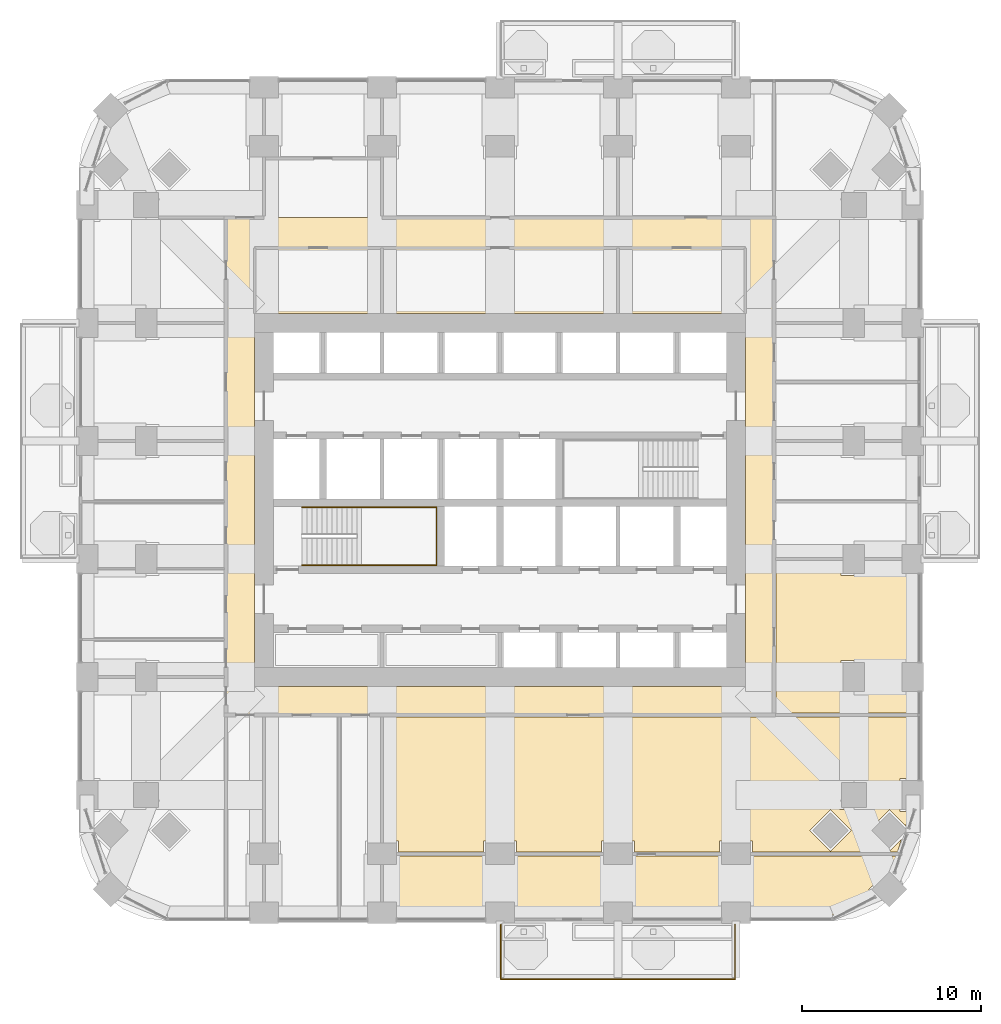
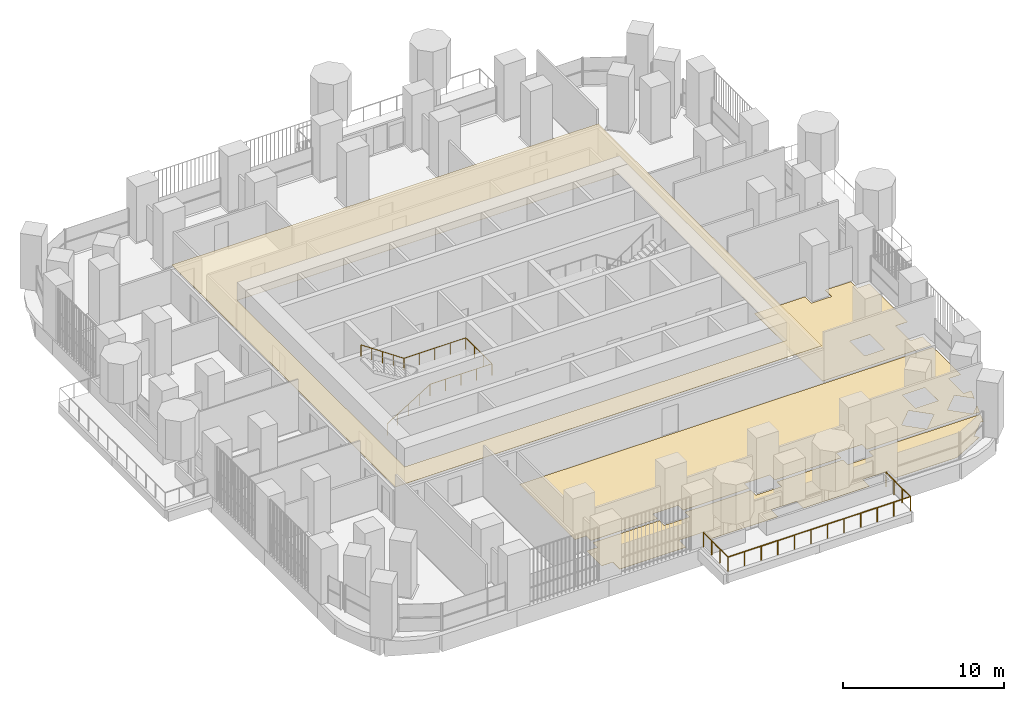
# One storey, part 19 of 22: 4 coverings, 2 railings.
"""IFC4 building model written with IfcOpenShell, lengths in metres."""

import ifcopenshell
import ifcopenshell.guid

model = None  # the IFC model being written
_history = None  # IfcOwnerHistory: only IFC2X3 demands one
_inside = {}  # id of a spatial element -> (the spatial element, [elements in it])
_under = {}  # id of a project, library or spatial element -> (it, [spatial elements below it])
_declared = {}  # id of a project -> (the project, [libraries it declares])
_typed = {}  # id of a type object -> (the type object, [elements of that type])
_made_of = {}  # id of a material, layer set ... -> (it, [elements and type objects made of it])


def new_model(schema):
    """Start an empty IFC model of exactly this schema.

    Asked for "IFC4X3", IfcOpenShell would pick the latest addendum, in which some entities
    have other attributes; the version numbers below select the first issue.
    IFC2X3 requires an IfcOwnerHistory on every rooted entity: one is made here for all.
    """
    global model, _history
    if schema == "IFC4X3":
        model = ifcopenshell.file(schema_version=(4, 3, 0, 0))
    else:
        model = ifcopenshell.file(schema=schema)
    _inside.clear()
    _under.clear()
    _declared.clear()
    _typed.clear()
    _made_of.clear()
    _history = None
    if model.schema == "IFC2X3":
        org = make("IfcOrganization", Name="unknown")
        user = make(
            "IfcPersonAndOrganization",
            ThePerson=make("IfcPerson", FamilyName="unknown"),
            TheOrganization=org,
        )
        app = make(
            "IfcApplication",
            ApplicationDeveloper=org,
            Version="unknown",
            ApplicationFullName="unknown",
            ApplicationIdentifier="unknown",
        )
        _history = make(
            "IfcOwnerHistory",
            OwningUser=user,
            OwningApplication=app,
            ChangeAction="ADDED",
            CreationDate=0,
        )
    return model


def make(cls, **values):
    """One entity of the class cls with the attributes given. An attribute that is None is left unset."""
    return model.create_entity(
        cls, **{name: value for name, value in values.items() if value is not None}
    )


def rooted(cls, **values):
    """An entity with a GlobalId (a new one), such as an element, a storey or a relation."""
    return make(cls, GlobalId=ifcopenshell.guid.new(), OwnerHistory=_history, **values)


def si_unit(unit_type, name, prefix=None):
    """IfcSIUnit, for example si_unit("LENGTHUNIT", "METRE", prefix="MILLI")."""
    return make("IfcSIUnit", UnitType=unit_type, Prefix=prefix, Name=name)


def assignment(units):
    """IfcUnitAssignment: the units of a project."""
    return None if units is None else make("IfcUnitAssignment", Units=units)


def point(xyz):
    """IfcCartesianPoint."""
    return None if xyz is None else make("IfcCartesianPoint", Coordinates=xyz)


def direction(xyz):
    """IfcDirection."""
    return None if xyz is None else make("IfcDirection", DirectionRatios=xyz)


def frame(location, z_axis=None, x_axis=None):
    """IfcAxis2Placement3D, a coordinate frame: its origin and axes. An axis left out is left unset."""
    return make(
        "IfcAxis2Placement3D",
        Location=point(location),
        Axis=direction(z_axis),
        RefDirection=direction(x_axis),
    )


def origin():
    """The frame at (0, 0, 0) with its axes left unset."""
    return frame((0.0, 0.0, 0.0))


def place(relative_to, where):
    """IfcLocalPlacement: puts the frame where relative to a parent placement (None: the world)."""
    return make(
        "IfcLocalPlacement", PlacementRelTo=relative_to, RelativePlacement=where
    )


def context(
    kind, dimensions, precision=None, world=None, true_north=None, identifier=None
):
    """IfcGeometricRepresentationContext, for example the 3D "Model" context."""
    return make(
        "IfcGeometricRepresentationContext",
        ContextIdentifier=identifier,
        ContextType=kind,
        CoordinateSpaceDimension=dimensions,
        Precision=precision,
        WorldCoordinateSystem=world,
        TrueNorth=true_north,
    )


def subcontext(parent, identifier, kind, view, scale=None):
    """IfcGeometricRepresentationSubContext, for example "Body" below "Model"."""
    return make(
        "IfcGeometricRepresentationSubContext",
        ContextIdentifier=identifier,
        ContextType=kind,
        ParentContext=parent,
        TargetScale=scale,
        TargetView=view,
    )


def project(units=None, contexts=None):
    """IfcProject with its units and contexts."""
    return rooted(
        "IfcProject",
        Name="project",
        RepresentationContexts=contexts,
        UnitsInContext=assignment(units),
    )


def spatial(cls, under=None, at=None, **own):
    """A site, building, storey or space (cls), placed at a placement, below another one or the project."""
    s = rooted(cls, ObjectPlacement=at, **own)
    if under is not None:
        _under.setdefault(under.id(), (under, []))[1].append(s)
    return s


def polyline(points):
    """IfcPolyline through the points."""
    return make("IfcPolyline", Points=[point(p) for p in points])


def outline(outer, holes=None, kind="AREA"):
    """IfcArbitraryClosedProfileDef: a profile drawn as a closed curve; with holes, ...WithVoids."""
    if holes is None:
        return make("IfcArbitraryClosedProfileDef", ProfileType=kind, OuterCurve=outer)
    return make(
        "IfcArbitraryProfileDefWithVoids",
        ProfileType=kind,
        OuterCurve=outer,
        InnerCurves=holes,
    )


def extrude(swept, where, along, depth):
    """IfcExtrudedAreaSolid: the profile swept, set in the frame where, extruded along a direction by depth."""
    return make(
        "IfcExtrudedAreaSolid",
        SweptArea=swept,
        Position=where,
        ExtrudedDirection=direction(along),
        Depth=depth,
    )


def shape(context_of_items, identifier, shape_type, items):
    """IfcShapeRepresentation: the items that make up one representation, for example the "Body"."""
    return make(
        "IfcShapeRepresentation",
        ContextOfItems=context_of_items,
        RepresentationIdentifier=identifier,
        RepresentationType=shape_type,
        Items=items,
    )


def material(Name=None, Category=None):
    """IfcMaterial."""
    return make("IfcMaterial", Name=Name, Category=Category)


def layer(
    of_material, thickness, ventilated=None, Name=None, Category=None, Priority=None
):
    """IfcMaterialLayer: one layer of a wall or slab, of a material (None: an air gap)."""
    return make(
        "IfcMaterialLayer",
        Material=of_material,
        LayerThickness=thickness,
        IsVentilated=ventilated,
        Name=Name,
        Category=Category,
        Priority=Priority,
    )


def layer_set(layers, Name=None):
    """IfcMaterialLayerSet."""
    return make("IfcMaterialLayerSet", MaterialLayers=layers, LayerSetName=Name)


def made_of(thing, what):
    """Note that an element or type object is made of a material, layer set ...; save() writes the relation."""
    if what is not None:
        _made_of.setdefault(what.id(), (what, []))[1].append(thing)
    return thing


def type_object(cls, material=None, **own):
    """A type object (cls), such as IfcWallType, which elements share."""
    return made_of(rooted(cls, **own), material)


def element(
    cls,
    number,
    at=None,
    inside=None,
    cuts=None,
    type_object=None,
    material=None,
    context=None,
    identifier="Body",
    shape_type=None,
    held_by="IfcProductDefinitionShape",
    body=None,
    shapes=None,
    **own,
):
    """One element of the class cls, such as IfcWall. Its Tag is "e" and its number.

    at: its placement. inside: the storey or other place that contains it. cuts: it is an
    opening in that element (IfcRelVoidsElement). A single representation is given by context,
    identifier, shape_type and body (its items); several are given by shapes. held_by: the class
    of the entity that holds the representations. save() writes the other relations.
    """
    e = rooted(cls, Tag="e%d" % number, ObjectPlacement=at, **own)
    if body is not None:
        shapes = [shape(context, identifier, shape_type, body)]
    if shapes is not None:
        e.Representation = make(held_by, Representations=shapes)
    if inside is not None:
        _inside.setdefault(inside.id(), (inside, []))[1].append(e)
    if cuts is not None:
        rooted(
            "IfcRelVoidsElement", RelatingBuildingElement=cuts, RelatedOpeningElement=e
        )
    if type_object is not None:
        _typed.setdefault(type_object.id(), (type_object, []))[1].append(e)
    return made_of(e, material)


def aggregate(whole, parts):
    """IfcRelAggregates: a whole, such as a stair, and the parts it consists of."""
    return rooted("IfcRelAggregates", RelatingObject=whole, RelatedObjects=parts)


def save(model, path):
    """Write the relations noted so far, then the file.

    IfcRelAggregates (storeys below a building ...), IfcRelContainedInSpatialStructure (elements
    in a storey), IfcRelDefinesByType, IfcRelAssociatesMaterial and IfcRelDeclares: one each for
    every whole, place, type object, material and project.
    """
    for whole, parts in _under.values():
        aggregate(whole, parts)
    for where, things in _inside.values():
        rooted(
            "IfcRelContainedInSpatialStructure",
            RelatedElements=things,
            RelatingStructure=where,
        )
    for kind, things in _typed.values():
        rooted("IfcRelDefinesByType", RelatedObjects=things, RelatingType=kind)
    for what, things in _made_of.values():
        rooted("IfcRelAssociatesMaterial", RelatedObjects=things, RelatingMaterial=what)
    for by, libraries in _declared.values():
        rooted("IfcRelDeclares", RelatingContext=by, RelatedDefinitions=libraries)
    model.write(path)


model = new_model("IFC4")

# Units and contexts
model_context = context("Model", 3, precision=1e-05, world=origin(), true_north=direction((0.0, 1.0)))
body_context = subcontext(model_context, "Body", "Model", "MODEL_VIEW")
ifc_project = project(units=[si_unit("LENGTHUNIT", "METRE"), si_unit("AREAUNIT", "SQUARE_METRE"), si_unit("VOLUMEUNIT", "CUBIC_METRE"), si_unit("PLANEANGLEUNIT", "RADIAN"), si_unit("MASSUNIT", "GRAM", prefix="KILO")], contexts=[model_context])

# Site, building, storey
site_placement = place(None, origin())
site = spatial("IfcSite", under=ifc_project, at=site_placement, CompositionType="ELEMENT")
building_placement = place(site_placement, origin())
building = spatial("IfcBuilding", under=site, at=building_placement, Name="Cobogo Forest Laboratory Tower", CompositionType="ELEMENT")
storey_placement = place(building_placement, frame((0.0, 0.0, 145.199951171875)))
storey = spatial("IfcBuildingStorey", under=building, at=storey_placement, Name="L33", CompositionType="ELEMENT", Elevation=145.199951171875)

# Railing
ifc_material_1 = material(Name="Laminated glass balustrade", Category="glass")
railing_type_1 = type_object("IfcRailingType", Name="BG1 glass balustrade 1100", PredefinedType="GUARDRAIL", material=ifc_material_1)
railing_1_placement = place(storey_placement, frame((26.449951171875, -0.64990234375, 0.0)))
element("IfcRailing", 1, at=railing_1_placement, inside=storey, type_object=railing_type_1, Name="Balcony balustrade BAL-S1 L33", PredefinedType="GUARDRAIL", context=body_context, shape_type="SweptSolid", body=[
    extrude(outline(polyline([(0.022216796875, 0.00927734375), (0.00927734375, 0.022216796875), (-0.00927734375, 0.022216796875), (-0.022216796875, 0.00927734375), (-0.022216796875, -0.00927734375), (-0.00927734375, -0.022216796875), (0.00927734375, -0.022216796875), (0.022216796875, -0.00927734375), (0.022216796875, 0.00927734375)])), frame((0.0, 0.0, 1.077880859375), z_axis=(0.0, -1.0, 0.0), x_axis=(1.0, 0.0, 0.0)), (0.0, 0.0, 1.0), 3.050048828125),
    extrude(outline(polyline([(0.022216796875, 0.00927734375), (0.00927734375, 0.022216796875), (-0.00927734375, 0.022216796875), (-0.022216796875, 0.00927734375), (-0.022216796875, -0.00927734375), (-0.00927734375, -0.022216796875), (0.00927734375, -0.022216796875), (0.022216796875, -0.00927734375), (0.022216796875, 0.00927734375)])), frame((0.0, -3.050048828125, 1.077880859375), z_axis=(1.0, 0.0, 0.0), x_axis=(0.0, 1.0, 0.0)), (0.0, 0.0, 1.0), 13.10009765625),
    extrude(outline(polyline([(0.022216796875, 0.00927734375), (0.00927734375, 0.022216796875), (-0.00927734375, 0.022216796875), (-0.022216796875, 0.00927734375), (-0.022216796875, -0.00927734375), (-0.00927734375, -0.022216796875), (0.00927734375, -0.022216796875), (0.022216796875, -0.00927734375), (0.022216796875, 0.00927734375)])), frame((13.10009765625, -3.050048828125, 1.077880859375), z_axis=(0.0, 1.0, 0.0), x_axis=(-1.0, 0.0, 0.0)), (0.0, 0.0, 1.0), 3.050048828125),
    extrude(outline(polyline([(0.019287109375, 0.008056640625), (0.008056640625, 0.019287109375), (-0.008056640625, 0.019287109375), (-0.019287109375, 0.008056640625), (-0.019287109375, -0.008056640625), (-0.008056640625, -0.019287109375), (0.008056640625, -0.019287109375), (0.019287109375, -0.008056640625), (0.019287109375, 0.008056640625)])), origin(), (0.0, 0.0, 1.0), 1.077880859375),
    extrude(outline(polyline([(0.019287109375, 0.008056640625), (0.008056640625, 0.019287109375), (-0.008056640625, 0.019287109375), (-0.019287109375, 0.008056640625), (-0.019287109375, -0.008056640625), (-0.008056640625, -0.019287109375), (0.008056640625, -0.019287109375), (0.019287109375, -0.008056640625), (0.019287109375, 0.008056640625)])), frame((0.0, -1.0166015625, 0.0)), (0.0, 0.0, 1.0), 1.077880859375),
    extrude(outline(polyline([(0.019287109375, 0.008056640625), (0.008056640625, 0.019287109375), (-0.008056640625, 0.019287109375), (-0.019287109375, 0.008056640625), (-0.019287109375, -0.008056640625), (-0.008056640625, -0.019287109375), (0.008056640625, -0.019287109375), (0.019287109375, -0.008056640625), (0.019287109375, 0.008056640625)])), frame((0.0, -2.033447265625, 0.0)), (0.0, 0.0, 1.0), 1.077880859375),
    extrude(outline(polyline([(0.019287109375, 0.008056640625), (0.008056640625, 0.019287109375), (-0.008056640625, 0.019287109375), (-0.019287109375, 0.008056640625), (-0.019287109375, -0.008056640625), (-0.008056640625, -0.019287109375), (0.008056640625, -0.019287109375), (0.019287109375, -0.008056640625), (0.019287109375, 0.008056640625)])), frame((0.0, -3.050048828125, 0.0)), (0.0, 0.0, 1.0), 1.077880859375),
    extrude(outline(polyline([(0.019287109375, 0.008056640625), (0.008056640625, 0.019287109375), (-0.008056640625, 0.019287109375), (-0.019287109375, 0.008056640625), (-0.019287109375, -0.008056640625), (-0.008056640625, -0.019287109375), (0.008056640625, -0.019287109375), (0.019287109375, -0.008056640625), (0.019287109375, 0.008056640625)])), frame((1.19091796875, -3.050048828125, 0.0)), (0.0, 0.0, 1.0), 1.077880859375),
    extrude(outline(polyline([(0.019287109375, 0.008056640625), (0.008056640625, 0.019287109375), (-0.008056640625, 0.019287109375), (-0.019287109375, 0.008056640625), (-0.019287109375, -0.008056640625), (-0.008056640625, -0.019287109375), (0.008056640625, -0.019287109375), (0.019287109375, -0.008056640625), (0.019287109375, 0.008056640625)])), frame((2.3818359375, -3.050048828125, 0.0)), (0.0, 0.0, 1.0), 1.077880859375),
    extrude(outline(polyline([(0.019287109375, 0.008056640625), (0.008056640625, 0.019287109375), (-0.008056640625, 0.019287109375), (-0.019287109375, 0.008056640625), (-0.019287109375, -0.008056640625), (-0.008056640625, -0.019287109375), (0.008056640625, -0.019287109375), (0.019287109375, -0.008056640625), (0.019287109375, 0.008056640625)])), frame((3.57275390625, -3.050048828125, 0.0)), (0.0, 0.0, 1.0), 1.077880859375),
    extrude(outline(polyline([(0.019287109375, 0.008056640625), (0.008056640625, 0.019287109375), (-0.008056640625, 0.019287109375), (-0.019287109375, 0.008056640625), (-0.019287109375, -0.008056640625), (-0.008056640625, -0.019287109375), (0.008056640625, -0.019287109375), (0.019287109375, -0.008056640625), (0.019287109375, 0.008056640625)])), frame((4.763671875, -3.050048828125, 0.0)), (0.0, 0.0, 1.0), 1.077880859375),
    extrude(outline(polyline([(0.019287109375, 0.008056640625), (0.008056640625, 0.019287109375), (-0.008056640625, 0.019287109375), (-0.019287109375, 0.008056640625), (-0.019287109375, -0.008056640625), (-0.008056640625, -0.019287109375), (0.008056640625, -0.019287109375), (0.019287109375, -0.008056640625), (0.019287109375, 0.008056640625)])), frame((5.95458984375, -3.050048828125, 0.0)), (0.0, 0.0, 1.0), 1.077880859375),
    extrude(outline(polyline([(0.019287109375, 0.008056640625), (0.008056640625, 0.019287109375), (-0.008056640625, 0.019287109375), (-0.019287109375, 0.008056640625), (-0.019287109375, -0.008056640625), (-0.008056640625, -0.019287109375), (0.008056640625, -0.019287109375), (0.019287109375, -0.008056640625), (0.019287109375, 0.008056640625)])), frame((7.1455078125, -3.050048828125, 0.0)), (0.0, 0.0, 1.0), 1.077880859375),
    extrude(outline(polyline([(0.019287109375, 0.008056640625), (0.008056640625, 0.019287109375), (-0.008056640625, 0.019287109375), (-0.019287109375, 0.008056640625), (-0.019287109375, -0.008056640625), (-0.008056640625, -0.019287109375), (0.008056640625, -0.019287109375), (0.019287109375, -0.008056640625), (0.019287109375, 0.008056640625)])), frame((8.33642578125, -3.050048828125, 0.0)), (0.0, 0.0, 1.0), 1.077880859375),
    extrude(outline(polyline([(0.019287109375, 0.008056640625), (0.008056640625, 0.019287109375), (-0.008056640625, 0.019287109375), (-0.019287109375, 0.008056640625), (-0.019287109375, -0.008056640625), (-0.008056640625, -0.019287109375), (0.008056640625, -0.019287109375), (0.019287109375, -0.008056640625), (0.019287109375, 0.008056640625)])), frame((9.52734375, -3.050048828125, 0.0)), (0.0, 0.0, 1.0), 1.077880859375),
    extrude(outline(polyline([(0.019287109375, 0.008056640625), (0.008056640625, 0.019287109375), (-0.008056640625, 0.019287109375), (-0.019287109375, 0.008056640625), (-0.019287109375, -0.008056640625), (-0.008056640625, -0.019287109375), (0.008056640625, -0.019287109375), (0.019287109375, -0.008056640625), (0.019287109375, 0.008056640625)])), frame((10.71826171875, -3.050048828125, 0.0)), (0.0, 0.0, 1.0), 1.077880859375),
    extrude(outline(polyline([(0.019287109375, 0.008056640625), (0.008056640625, 0.019287109375), (-0.008056640625, 0.019287109375), (-0.019287109375, 0.008056640625), (-0.019287109375, -0.008056640625), (-0.008056640625, -0.019287109375), (0.008056640625, -0.019287109375), (0.019287109375, -0.008056640625), (0.019287109375, 0.008056640625)])), frame((11.9091796875, -3.050048828125, 0.0)), (0.0, 0.0, 1.0), 1.077880859375),
    extrude(outline(polyline([(0.019287109375, 0.008056640625), (0.008056640625, 0.019287109375), (-0.008056640625, 0.019287109375), (-0.019287109375, 0.008056640625), (-0.019287109375, -0.008056640625), (-0.008056640625, -0.019287109375), (0.008056640625, -0.019287109375), (0.019287109375, -0.008056640625), (0.019287109375, 0.008056640625)])), frame((13.10009765625, -3.050048828125, 0.0)), (0.0, 0.0, 1.0), 1.077880859375),
    extrude(outline(polyline([(0.019287109375, 0.008056640625), (0.008056640625, 0.019287109375), (-0.008056640625, 0.019287109375), (-0.019287109375, 0.008056640625), (-0.019287109375, -0.008056640625), (-0.008056640625, -0.019287109375), (0.008056640625, -0.019287109375), (0.019287109375, -0.008056640625), (0.019287109375, 0.008056640625)])), frame((13.10009765625, -2.033447265625, 0.0)), (0.0, 0.0, 1.0), 1.077880859375),
    extrude(outline(polyline([(0.019287109375, 0.008056640625), (0.008056640625, 0.019287109375), (-0.008056640625, 0.019287109375), (-0.019287109375, 0.008056640625), (-0.019287109375, -0.008056640625), (-0.008056640625, -0.019287109375), (0.008056640625, -0.019287109375), (0.019287109375, -0.008056640625), (0.019287109375, 0.008056640625)])), frame((13.10009765625, -1.0166015625, 0.0)), (0.0, 0.0, 1.0), 1.077880859375),
    extrude(outline(polyline([(0.019287109375, 0.008056640625), (0.008056640625, 0.019287109375), (-0.008056640625, 0.019287109375), (-0.019287109375, 0.008056640625), (-0.019287109375, -0.008056640625), (-0.008056640625, -0.019287109375), (0.008056640625, -0.019287109375), (0.019287109375, -0.008056640625), (0.019287109375, 0.008056640625)])), frame((13.10009765625, 0.0, 0.0)), (0.0, 0.0, 1.0), 1.077880859375),
])

# Coverings
ifc_material_2 = material(Name="Mineral fibre ceiling tile", Category="ceiling")
ifc_layer_1 = layer(ifc_material_2, 0.02001953125)
ifc_layer_set_1 = layer_set([ifc_layer_1], Name="CL1 suspended ceiling")
covering_type_1 = type_object("IfcCoveringType", Name="CL1 suspended ceiling", PredefinedType="CEILING", material=ifc_layer_set_1)
covering_1_placement = place(storey_placement, frame((0.0, 0.0, 2.800048828125)))
element("IfcCovering", 2, at=covering_1_placement, inside=storey, type_object=covering_type_1, Name="Corridor ceiling L33", PredefinedType="CEILING", context=body_context, shape_type="SweptSolid", body=[
    extrude(outline(polyline([(11.074951171875, 11.074951171875), (11.074951171875, 38.89990234375), (41.72509765625, 38.89990234375), (41.72509765625, 11.074951171875), (11.074951171875, 11.074951171875)]), holes=[polyline([(40.125, 33.52490234375), (12.675048828125, 33.52490234375), (12.675048828125, 12.675048828125), (40.125, 12.675048828125), (40.125, 33.52490234375)])]), origin(), (0.0, 0.0, 1.0), 0.02001953125),
])
ifc_material_3 = material(Name="Carpet tile on raised access floor", Category="flooring")
ifc_layer_2 = layer(ifc_material_3, 0.008056640625)
ifc_layer_set_2 = layer_set([ifc_layer_2], Name="CT1 carpet tile floor 8")
covering_type_2 = type_object("IfcCoveringType", Name="CT1 carpet tile floor 8", PredefinedType="FLOORING", material=ifc_layer_set_2)
covering_2_placement = place(storey_placement, origin())
element("IfcCovering", 3, at=covering_2_placement, inside=storey, type_object=covering_type_2, Name="Carpet floor L33-08", PredefinedType="FLOORING", context=body_context, shape_type="SweptSolid", body=[
    extrude(outline(polyline([(25.47998046875, 3.179931640625), (25.47998046875, 2.580078125), (27.320068359375, 2.580078125), (27.320068359375, 3.179931640625), (32.080078125, 3.179931640625), (32.080078125, 2.580078125), (33.919921875, 2.580078125), (33.919921875, 3.179931640625), (38.679931640625, 3.179931640625), (38.679931640625, 2.580078125), (40.52001953125, 2.580078125), (40.52001953125, 3.179931640625), (48.560302734375, 3.179931640625), (48.30078125, 2.358642578125), (48.181884765625, 2.477783203125), (47.022216796875, 1.318115234375), (47.27294921875, 1.0673828125), (44.95068359375, -0.14990234375), (40.52001953125, -0.14990234375), (40.52001953125, 0.719970703125), (38.679931640625, 0.719970703125), (38.679931640625, -0.14990234375), (33.919921875, -0.14990234375), (33.919921875, 0.719970703125), (32.080078125, 0.719970703125), (32.080078125, -0.14990234375), (27.320068359375, -0.14990234375), (27.320068359375, 0.719970703125), (25.47998046875, 0.719970703125), (25.47998046875, -0.14990234375), (20.719970703125, -0.14990234375), (20.719970703125, 0.719970703125), (19.919921875, 0.719970703125), (19.919921875, 2.580078125), (20.719970703125, 2.580078125), (20.719970703125, 3.179931640625), (25.47998046875, 3.179931640625)])), origin(), (0.0, 0.0, 1.0), 0.008056640625),
])
covering_3_placement = place(storey_placement, origin())
element("IfcCovering", 4, at=covering_3_placement, inside=storey, type_object=covering_type_2, Name="Carpet floor L33-09", PredefinedType="FLOORING", context=body_context, shape_type="SweptSolid", body=[
    extrude(outline(polyline([(41.844970703125, 19.679931640625), (45.47998046875, 19.679931640625), (45.47998046875, 18.8798828125), (46.919921875, 18.8798828125), (46.919921875, 19.679931640625), (48.780029296875, 19.679931640625), (48.780029296875, 18.8798828125), (49.64990234375, 18.8798828125), (49.64990234375, 14.1201171875), (48.780029296875, 14.1201171875), (48.780029296875, 12.280029296875), (49.64990234375, 12.280029296875), (49.64990234375, 11.195068359375), (41.844970703125, 11.195068359375), (41.844970703125, 19.679931640625)]), holes=[polyline([(45.47998046875, 12.280029296875), (46.919921875, 12.280029296875), (46.919921875, 14.1201171875), (45.47998046875, 14.1201171875), (45.47998046875, 12.280029296875)])]), origin(), (0.0, 0.0, 1.0), 0.008056640625),
])

# Railing
ifc_material_4 = material(Name="Stainless steel handrail", Category="steel")
railing_type_2 = type_object("IfcRailingType", Name="HR handrail 900", PredefinedType="HANDRAIL", material=ifc_material_4)
railing_2_placement = place(storey_placement, frame((15.324951171875, 19.449951171875, 0.175048828125)))
element("IfcRailing", 5, at=railing_2_placement, inside=storey, type_object=railing_type_2, Name="Stair handrail ST1 L33", PredefinedType="HANDRAIL", context=body_context, shape_type="SweptSolid", body=[
    extrude(outline(polyline([(0.022216796875, 0.00927734375), (0.00927734375, 0.022216796875), (-0.00927734375, 0.022216796875), (-0.022216796875, 0.00927734375), (-0.022216796875, -0.00927734375), (-0.00927734375, -0.022216796875), (0.00927734375, -0.022216796875), (0.022216796875, -0.00927734375), (0.022216796875, 0.00927734375)])), frame((0.0, 0.0, 0.877685546875), z_axis=(0.847998304005, 0.0, 0.529998940003), x_axis=(0.0, 1.0, 0.0)), (0.0, 0.0, 1.0), 3.632080078125),
    extrude(outline(polyline([(0.022216796875, 0.00927734375), (0.00927734375, 0.022216796875), (-0.00927734375, 0.022216796875), (-0.022216796875, 0.00927734375), (-0.022216796875, -0.00927734375), (-0.00927734375, -0.022216796875), (0.00927734375, -0.022216796875), (0.022216796875, -0.00927734375), (0.022216796875, 0.00927734375)])), frame((3.080078125, 0.0, 2.802734375), z_axis=(1.0, 0.0, 0.0), x_axis=(0.0, 1.0, 0.0)), (0.0, 0.0, 1.0), 4.445068359375),
    extrude(outline(polyline([(0.022216796875, 0.00927734375), (0.00927734375, 0.022216796875), (-0.00927734375, 0.022216796875), (-0.022216796875, 0.00927734375), (-0.022216796875, -0.00927734375), (-0.00927734375, -0.022216796875), (0.00927734375, -0.022216796875), (0.022216796875, -0.00927734375), (0.022216796875, 0.00927734375)])), frame((7.525146484375, 0.0, 2.802734375), z_axis=(0.0, 1.0, 0.0), x_axis=(-1.0, 0.0, 0.0)), (0.0, 0.0, 1.0), 3.25),
    extrude(outline(polyline([(0.022216796875, 0.00927734375), (0.00927734375, 0.022216796875), (-0.00927734375, 0.022216796875), (-0.022216796875, 0.00927734375), (-0.022216796875, -0.00927734375), (-0.00927734375, -0.022216796875), (0.00927734375, -0.022216796875), (0.022216796875, -0.00927734375), (0.022216796875, 0.00927734375)])), frame((7.525146484375, 3.25, 2.802734375), z_axis=(-1.0, 0.0, 0.0), x_axis=(0.0, -1.0, 0.0)), (0.0, 0.0, 1.0), 4.445068359375),
    extrude(outline(polyline([(0.022216796875, 0.00927734375), (0.00927734375, 0.022216796875), (-0.00927734375, 0.022216796875), (-0.022216796875, 0.00927734375), (-0.022216796875, -0.00927734375), (-0.00927734375, -0.022216796875), (0.00927734375, -0.022216796875), (0.022216796875, -0.00927734375), (0.022216796875, 0.00927734375)])), frame((3.080078125, 3.25, 2.802734375), z_axis=(-0.826252282691, 0.0, 0.563300244406), x_axis=(0.0, -1.0, 0.0)), (0.0, 0.0, 1.0), 3.727783203125),
    extrude(outline(polyline([(0.019287109375, 0.008056640625), (0.008056640625, 0.019287109375), (-0.008056640625, 0.019287109375), (-0.019287109375, 0.008056640625), (-0.019287109375, -0.008056640625), (-0.008056640625, -0.019287109375), (0.008056640625, -0.019287109375), (0.019287109375, -0.008056640625), (0.019287109375, 0.008056640625)])), origin(), (0.0, 0.0, 1.0), 0.877685546875),
    extrude(outline(polyline([(0.019287109375, 0.008056640625), (0.008056640625, 0.019287109375), (-0.008056640625, 0.019287109375), (-0.019287109375, 0.008056640625), (-0.019287109375, -0.008056640625), (-0.008056640625, -0.019287109375), (0.008056640625, -0.019287109375), (0.019287109375, -0.008056640625), (0.019287109375, 0.008056640625)])), frame((0.77001953125, 0.0, 0.481201171875)), (0.0, 0.0, 1.0), 0.877685546875),
    extrude(outline(polyline([(0.019287109375, 0.008056640625), (0.008056640625, 0.019287109375), (-0.008056640625, 0.019287109375), (-0.019287109375, 0.008056640625), (-0.019287109375, -0.008056640625), (-0.008056640625, -0.019287109375), (0.008056640625, -0.019287109375), (0.019287109375, -0.008056640625), (0.019287109375, 0.008056640625)])), frame((1.5400390625, 0.0, 0.96240234375)), (0.0, 0.0, 1.0), 0.877685546875),
    extrude(outline(polyline([(0.019287109375, 0.008056640625), (0.008056640625, 0.019287109375), (-0.008056640625, 0.019287109375), (-0.019287109375, 0.008056640625), (-0.019287109375, -0.008056640625), (-0.008056640625, -0.019287109375), (0.008056640625, -0.019287109375), (0.019287109375, -0.008056640625), (0.019287109375, 0.008056640625)])), frame((2.31005859375, 0.0, 1.44384765625)), (0.0, 0.0, 1.0), 0.877685546875),
    extrude(outline(polyline([(0.019287109375, 0.008056640625), (0.008056640625, 0.019287109375), (-0.008056640625, 0.019287109375), (-0.019287109375, 0.008056640625), (-0.019287109375, -0.008056640625), (-0.008056640625, -0.019287109375), (0.008056640625, -0.019287109375), (0.019287109375, -0.008056640625), (0.019287109375, 0.008056640625)])), frame((3.080078125, 0.0, 1.925048828125)), (0.0, 0.0, 1.0), 0.877685546875),
    extrude(outline(polyline([(0.019287109375, 0.008056640625), (0.008056640625, 0.019287109375), (-0.008056640625, 0.019287109375), (-0.019287109375, 0.008056640625), (-0.019287109375, -0.008056640625), (-0.008056640625, -0.019287109375), (0.008056640625, -0.019287109375), (0.019287109375, -0.008056640625), (0.019287109375, 0.008056640625)])), frame((4.19140625, 0.0, 1.925048828125)), (0.0, 0.0, 1.0), 0.877685546875),
    extrude(outline(polyline([(0.019287109375, 0.008056640625), (0.008056640625, 0.019287109375), (-0.008056640625, 0.019287109375), (-0.019287109375, 0.008056640625), (-0.019287109375, -0.008056640625), (-0.008056640625, -0.019287109375), (0.008056640625, -0.019287109375), (0.019287109375, -0.008056640625), (0.019287109375, 0.008056640625)])), frame((5.302734375, 0.0, 1.925048828125)), (0.0, 0.0, 1.0), 0.877685546875),
    extrude(outline(polyline([(0.019287109375, 0.008056640625), (0.008056640625, 0.019287109375), (-0.008056640625, 0.019287109375), (-0.019287109375, 0.008056640625), (-0.019287109375, -0.008056640625), (-0.008056640625, -0.019287109375), (0.008056640625, -0.019287109375), (0.019287109375, -0.008056640625), (0.019287109375, 0.008056640625)])), frame((6.413818359375, 0.0, 1.925048828125)), (0.0, 0.0, 1.0), 0.877685546875),
    extrude(outline(polyline([(0.019287109375, 0.008056640625), (0.008056640625, 0.019287109375), (-0.008056640625, 0.019287109375), (-0.019287109375, 0.008056640625), (-0.019287109375, -0.008056640625), (-0.008056640625, -0.019287109375), (0.008056640625, -0.019287109375), (0.019287109375, -0.008056640625), (0.019287109375, 0.008056640625)])), frame((7.525146484375, 0.0, 1.925048828125)), (0.0, 0.0, 1.0), 0.877685546875),
    extrude(outline(polyline([(0.019287109375, 0.008056640625), (0.008056640625, 0.019287109375), (-0.008056640625, 0.019287109375), (-0.019287109375, 0.008056640625), (-0.019287109375, -0.008056640625), (-0.008056640625, -0.019287109375), (0.008056640625, -0.019287109375), (0.019287109375, -0.008056640625), (0.019287109375, 0.008056640625)])), frame((7.525146484375, 1.083251953125, 1.925048828125)), (0.0, 0.0, 1.0), 0.877685546875),
    extrude(outline(polyline([(0.019287109375, 0.008056640625), (0.008056640625, 0.019287109375), (-0.008056640625, 0.019287109375), (-0.019287109375, 0.008056640625), (-0.019287109375, -0.008056640625), (-0.008056640625, -0.019287109375), (0.008056640625, -0.019287109375), (0.019287109375, -0.008056640625), (0.019287109375, 0.008056640625)])), frame((7.525146484375, 2.166748046875, 1.925048828125)), (0.0, 0.0, 1.0), 0.877685546875),
    extrude(outline(polyline([(0.019287109375, 0.008056640625), (0.008056640625, 0.019287109375), (-0.008056640625, 0.019287109375), (-0.019287109375, 0.008056640625), (-0.019287109375, -0.008056640625), (-0.008056640625, -0.019287109375), (0.008056640625, -0.019287109375), (0.019287109375, -0.008056640625), (0.019287109375, 0.008056640625)])), frame((7.525146484375, 3.25, 1.925048828125)), (0.0, 0.0, 1.0), 0.877685546875),
    extrude(outline(polyline([(0.019287109375, 0.008056640625), (0.008056640625, 0.019287109375), (-0.008056640625, 0.019287109375), (-0.019287109375, 0.008056640625), (-0.019287109375, -0.008056640625), (-0.008056640625, -0.019287109375), (0.008056640625, -0.019287109375), (0.019287109375, -0.008056640625), (0.019287109375, 0.008056640625)])), frame((6.413818359375, 3.25, 1.925048828125)), (0.0, 0.0, 1.0), 0.877685546875),
    extrude(outline(polyline([(0.019287109375, 0.008056640625), (0.008056640625, 0.019287109375), (-0.008056640625, 0.019287109375), (-0.019287109375, 0.008056640625), (-0.019287109375, -0.008056640625), (-0.008056640625, -0.019287109375), (0.008056640625, -0.019287109375), (0.019287109375, -0.008056640625), (0.019287109375, 0.008056640625)])), frame((5.302734375, 3.25, 1.925048828125)), (0.0, 0.0, 1.0), 0.877685546875),
    extrude(outline(polyline([(0.019287109375, 0.008056640625), (0.008056640625, 0.019287109375), (-0.008056640625, 0.019287109375), (-0.019287109375, 0.008056640625), (-0.019287109375, -0.008056640625), (-0.008056640625, -0.019287109375), (0.008056640625, -0.019287109375), (0.019287109375, -0.008056640625), (0.019287109375, 0.008056640625)])), frame((4.19140625, 3.25, 1.925048828125)), (0.0, 0.0, 1.0), 0.877685546875),
    extrude(outline(polyline([(0.019287109375, 0.008056640625), (0.008056640625, 0.019287109375), (-0.008056640625, 0.019287109375), (-0.019287109375, 0.008056640625), (-0.019287109375, -0.008056640625), (-0.008056640625, -0.019287109375), (0.008056640625, -0.019287109375), (0.019287109375, -0.008056640625), (0.019287109375, 0.008056640625)])), frame((3.080078125, 3.25, 1.925048828125)), (0.0, 0.0, 1.0), 0.877685546875),
    extrude(outline(polyline([(0.019287109375, 0.008056640625), (0.008056640625, 0.019287109375), (-0.008056640625, 0.019287109375), (-0.019287109375, 0.008056640625), (-0.019287109375, -0.008056640625), (-0.008056640625, -0.019287109375), (0.008056640625, -0.019287109375), (0.019287109375, -0.008056640625), (0.019287109375, 0.008056640625)])), frame((2.31005859375, 3.25, 2.449951171875)), (0.0, 0.0, 1.0), 0.877685546875),
    extrude(outline(polyline([(0.019287109375, 0.008056640625), (0.008056640625, 0.019287109375), (-0.008056640625, 0.019287109375), (-0.019287109375, 0.008056640625), (-0.019287109375, -0.008056640625), (-0.008056640625, -0.019287109375), (0.008056640625, -0.019287109375), (0.019287109375, -0.008056640625), (0.019287109375, 0.008056640625)])), frame((1.5400390625, 3.25, 2.97509765625)), (0.0, 0.0, 1.0), 0.877685546875),
    extrude(outline(polyline([(0.019287109375, 0.008056640625), (0.008056640625, 0.019287109375), (-0.008056640625, 0.019287109375), (-0.019287109375, 0.008056640625), (-0.019287109375, -0.008056640625), (-0.008056640625, -0.019287109375), (0.008056640625, -0.019287109375), (0.019287109375, -0.008056640625), (0.019287109375, 0.008056640625)])), frame((0.77001953125, 3.25, 3.5)), (0.0, 0.0, 1.0), 0.877685546875),
    extrude(outline(polyline([(0.019287109375, 0.008056640625), (0.008056640625, 0.019287109375), (-0.008056640625, 0.019287109375), (-0.019287109375, 0.008056640625), (-0.019287109375, -0.008056640625), (-0.008056640625, -0.019287109375), (0.008056640625, -0.019287109375), (0.019287109375, -0.008056640625), (0.019287109375, 0.008056640625)])), frame((0.0, 3.25, 4.02490234375)), (0.0, 0.0, 1.0), 0.877685546875),
])

# Covering
ifc_material_5 = material(Name="Epoxy resin flooring", Category="flooring")
ifc_layer_3 = layer(ifc_material_5, 0.00390625)
ifc_layer_set_3 = layer_set([ifc_layer_3], Name="LF1 epoxy laboratory floor 4")
covering_type_3 = type_object("IfcCoveringType", Name="LF1 epoxy laboratory floor 4", PredefinedType="FLOORING", material=ifc_layer_set_3)
covering_4_placement = place(storey_placement, origin())
element("IfcCovering", 6, at=covering_4_placement, inside=storey, type_object=covering_type_3, Name="Epoxy laboratory floor L33-07", PredefinedType="FLOORING", context=body_context, shape_type="SweptSolid", body=[
    extrude(outline(polyline([(19.919921875, 10.955078125), (49.64990234375, 10.955078125), (49.64990234375, 7.52001953125), (48.780029296875, 7.52001953125), (48.780029296875, 5.679931640625), (49.349853515625, 5.679931640625), (49.093017578125, 4.86669921875), (48.181884765625, 5.777587890625), (47.022216796875, 4.617919921875), (48.181884765625, 3.458251953125), (48.86328125, 4.1396484375), (48.635986328125, 3.419921875), (40.52001953125, 3.419921875), (40.52001953125, 4.02001953125), (38.679931640625, 4.02001953125), (38.679931640625, 3.419921875), (33.919921875, 3.419921875), (33.919921875, 4.02001953125), (32.080078125, 4.02001953125), (32.080078125, 3.419921875), (27.320068359375, 3.419921875), (27.320068359375, 4.02001953125), (25.47998046875, 4.02001953125), (25.47998046875, 3.419921875), (20.719970703125, 3.419921875), (20.719970703125, 4.02001953125), (19.919921875, 4.02001953125), (19.919921875, 10.955078125)]), holes=[polyline([(45.3798828125, 5.780029296875), (47.02001953125, 5.780029296875), (47.02001953125, 7.419921875), (45.3798828125, 7.419921875), (45.3798828125, 5.780029296875)]), polyline([(43.722412109375, 4.617919921875), (44.882080078125, 3.458251953125), (46.041748046875, 4.617919921875), (44.882080078125, 5.777587890625), (43.722412109375, 4.617919921875)])]), origin(), (0.0, 0.0, 1.0), 0.004150390625),
])

save(model, "model.ifc")
